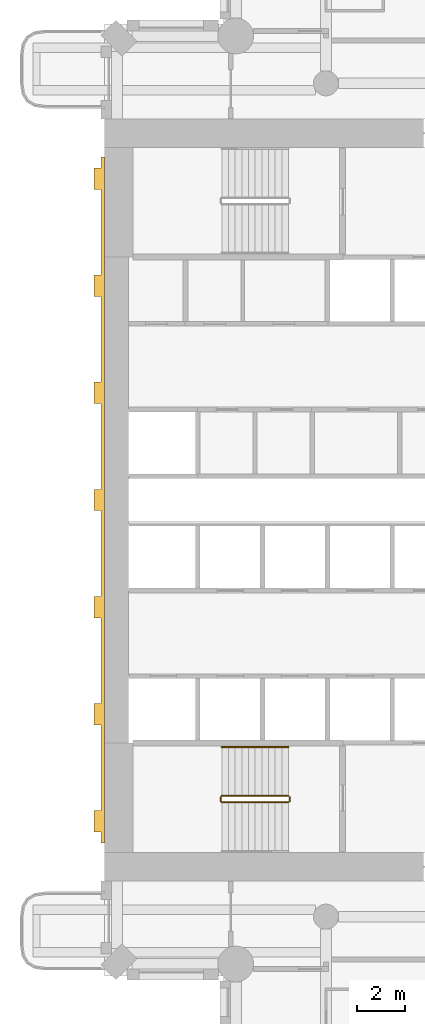
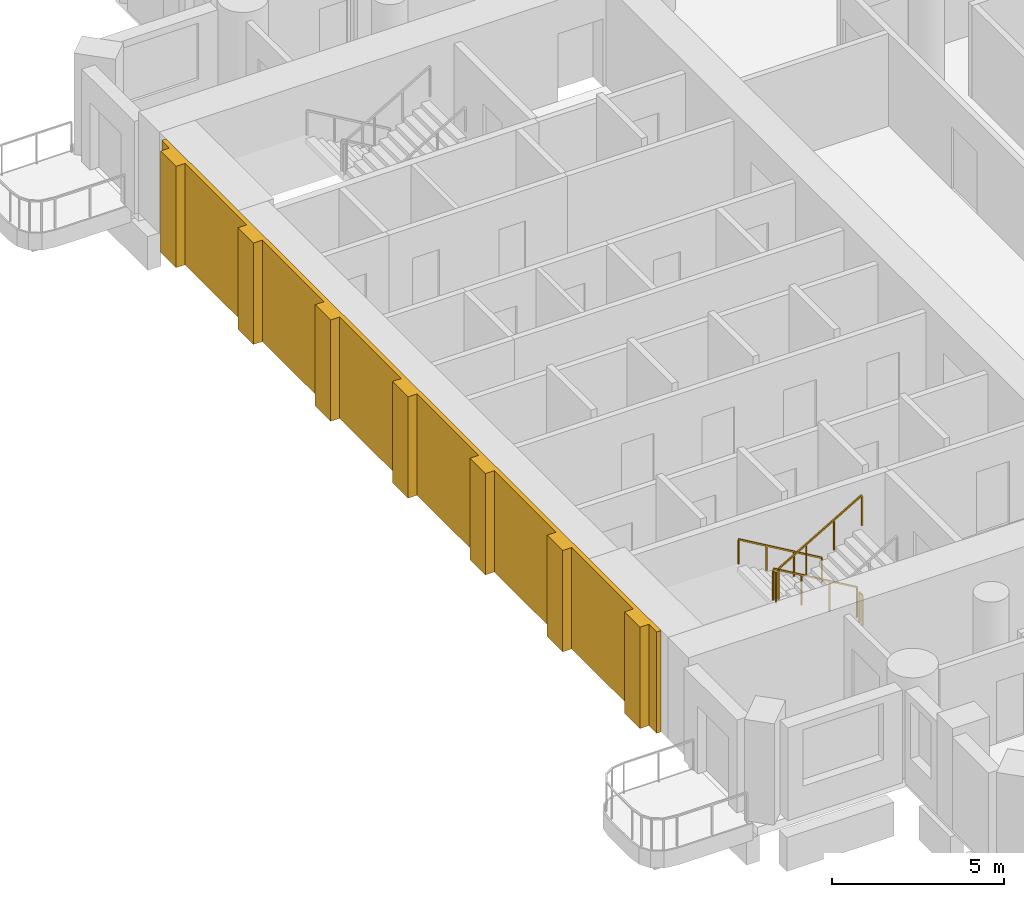
# One storey, part 14 of 20: 5 railings, 1 covering.
"""IFC4 building model written with IfcOpenShell, lengths in metres."""

import ifcopenshell
import ifcopenshell.guid

model = None  # the IFC model being written
_history = None  # IfcOwnerHistory: only IFC2X3 demands one
_inside = {}  # id of a spatial element -> (the spatial element, [elements in it])
_under = {}  # id of a project, library or spatial element -> (it, [spatial elements below it])
_declared = {}  # id of a project -> (the project, [libraries it declares])
_typed = {}  # id of a type object -> (the type object, [elements of that type])
_made_of = {}  # id of a material, layer set ... -> (it, [elements and type objects made of it])


def new_model(schema):
    """Start an empty IFC model of exactly this schema.

    Asked for "IFC4X3", IfcOpenShell would pick the latest addendum, in which some entities
    have other attributes; the version numbers below select the first issue.
    IFC2X3 requires an IfcOwnerHistory on every rooted entity: one is made here for all.
    """
    global model, _history
    if schema == "IFC4X3":
        model = ifcopenshell.file(schema_version=(4, 3, 0, 0))
    else:
        model = ifcopenshell.file(schema=schema)
    _inside.clear()
    _under.clear()
    _declared.clear()
    _typed.clear()
    _made_of.clear()
    _history = None
    if model.schema == "IFC2X3":
        org = make("IfcOrganization", Name="unknown")
        user = make(
            "IfcPersonAndOrganization",
            ThePerson=make("IfcPerson", FamilyName="unknown"),
            TheOrganization=org,
        )
        app = make(
            "IfcApplication",
            ApplicationDeveloper=org,
            Version="unknown",
            ApplicationFullName="unknown",
            ApplicationIdentifier="unknown",
        )
        _history = make(
            "IfcOwnerHistory",
            OwningUser=user,
            OwningApplication=app,
            ChangeAction="ADDED",
            CreationDate=0,
        )
    return model


def make(cls, **values):
    """One entity of the class cls with the attributes given. An attribute that is None is left unset."""
    return model.create_entity(
        cls, **{name: value for name, value in values.items() if value is not None}
    )


def rooted(cls, **values):
    """An entity with a GlobalId (a new one), such as an element, a storey or a relation."""
    return make(cls, GlobalId=ifcopenshell.guid.new(), OwnerHistory=_history, **values)


def si_unit(unit_type, name, prefix=None):
    """IfcSIUnit, for example si_unit("LENGTHUNIT", "METRE", prefix="MILLI")."""
    return make("IfcSIUnit", UnitType=unit_type, Prefix=prefix, Name=name)


def assignment(units):
    """IfcUnitAssignment: the units of a project."""
    return None if units is None else make("IfcUnitAssignment", Units=units)


def point(xyz):
    """IfcCartesianPoint."""
    return None if xyz is None else make("IfcCartesianPoint", Coordinates=xyz)


def direction(xyz):
    """IfcDirection."""
    return None if xyz is None else make("IfcDirection", DirectionRatios=xyz)


def frame(location, z_axis=None, x_axis=None):
    """IfcAxis2Placement3D, a coordinate frame: its origin and axes. An axis left out is left unset."""
    return make(
        "IfcAxis2Placement3D",
        Location=point(location),
        Axis=direction(z_axis),
        RefDirection=direction(x_axis),
    )


def frame_2d(location, x_axis=None):
    """IfcAxis2Placement2D, a coordinate frame in the plane: its origin and x axis."""
    return make(
        "IfcAxis2Placement2D", Location=point(location), RefDirection=direction(x_axis)
    )


def origin():
    """The frame at (0, 0, 0) with its axes left unset."""
    return frame((0.0, 0.0, 0.0))


def origin_2d():
    """The frame at (0, 0) in the plane with its x axis left unset."""
    return frame_2d((0.0, 0.0))


def place(relative_to, where):
    """IfcLocalPlacement: puts the frame where relative to a parent placement (None: the world)."""
    return make(
        "IfcLocalPlacement", PlacementRelTo=relative_to, RelativePlacement=where
    )


def context(
    kind, dimensions, precision=None, world=None, true_north=None, identifier=None
):
    """IfcGeometricRepresentationContext, for example the 3D "Model" context."""
    return make(
        "IfcGeometricRepresentationContext",
        ContextIdentifier=identifier,
        ContextType=kind,
        CoordinateSpaceDimension=dimensions,
        Precision=precision,
        WorldCoordinateSystem=world,
        TrueNorth=true_north,
    )


def subcontext(parent, identifier, kind, view, scale=None):
    """IfcGeometricRepresentationSubContext, for example "Body" below "Model"."""
    return make(
        "IfcGeometricRepresentationSubContext",
        ContextIdentifier=identifier,
        ContextType=kind,
        ParentContext=parent,
        TargetScale=scale,
        TargetView=view,
    )


def project(units=None, contexts=None):
    """IfcProject with its units and contexts."""
    return rooted(
        "IfcProject",
        Name="project",
        RepresentationContexts=contexts,
        UnitsInContext=assignment(units),
    )


def spatial(cls, under=None, at=None, **own):
    """A site, building, storey or space (cls), placed at a placement, below another one or the project."""
    s = rooted(cls, ObjectPlacement=at, **own)
    if under is not None:
        _under.setdefault(under.id(), (under, []))[1].append(s)
    return s


def polyline(points):
    """IfcPolyline through the points."""
    return make("IfcPolyline", Points=[point(p) for p in points])


def profile(cls, at=None, kind="AREA", **sizes):
    """A parametric profile (cls). Its sizes go by their IFC names, for example OverallWidth=200.0."""
    return make(cls, ProfileType=kind, Position=at, **sizes)


def rectangle(**sizes):
    """IfcRectangleProfileDef."""
    return profile("IfcRectangleProfileDef", **sizes)


def outline(outer, holes=None, kind="AREA"):
    """IfcArbitraryClosedProfileDef: a profile drawn as a closed curve; with holes, ...WithVoids."""
    if holes is None:
        return make("IfcArbitraryClosedProfileDef", ProfileType=kind, OuterCurve=outer)
    return make(
        "IfcArbitraryProfileDefWithVoids",
        ProfileType=kind,
        OuterCurve=outer,
        InnerCurves=holes,
    )


def extrude(swept, where, along, depth):
    """IfcExtrudedAreaSolid: the profile swept, set in the frame where, extruded along a direction by depth."""
    return make(
        "IfcExtrudedAreaSolid",
        SweptArea=swept,
        Position=where,
        ExtrudedDirection=direction(along),
        Depth=depth,
    )


def shape(context_of_items, identifier, shape_type, items):
    """IfcShapeRepresentation: the items that make up one representation, for example the "Body"."""
    return make(
        "IfcShapeRepresentation",
        ContextOfItems=context_of_items,
        RepresentationIdentifier=identifier,
        RepresentationType=shape_type,
        Items=items,
    )


def material(Name=None, Category=None):
    """IfcMaterial."""
    return make("IfcMaterial", Name=Name, Category=Category)


def layer(
    of_material, thickness, ventilated=None, Name=None, Category=None, Priority=None
):
    """IfcMaterialLayer: one layer of a wall or slab, of a material (None: an air gap)."""
    return make(
        "IfcMaterialLayer",
        Material=of_material,
        LayerThickness=thickness,
        IsVentilated=ventilated,
        Name=Name,
        Category=Category,
        Priority=Priority,
    )


def layer_set(layers, Name=None):
    """IfcMaterialLayerSet."""
    return make("IfcMaterialLayerSet", MaterialLayers=layers, LayerSetName=Name)


def made_of(thing, what):
    """Note that an element or type object is made of a material, layer set ...; save() writes the relation."""
    if what is not None:
        _made_of.setdefault(what.id(), (what, []))[1].append(thing)
    return thing


def type_object(cls, material=None, **own):
    """A type object (cls), such as IfcWallType, which elements share."""
    return made_of(rooted(cls, **own), material)


def element(
    cls,
    number,
    at=None,
    inside=None,
    cuts=None,
    type_object=None,
    material=None,
    context=None,
    identifier="Body",
    shape_type=None,
    held_by="IfcProductDefinitionShape",
    body=None,
    shapes=None,
    **own,
):
    """One element of the class cls, such as IfcWall. Its Tag is "e" and its number.

    at: its placement. inside: the storey or other place that contains it. cuts: it is an
    opening in that element (IfcRelVoidsElement). A single representation is given by context,
    identifier, shape_type and body (its items); several are given by shapes. held_by: the class
    of the entity that holds the representations. save() writes the other relations.
    """
    e = rooted(cls, Tag="e%d" % number, ObjectPlacement=at, **own)
    if body is not None:
        shapes = [shape(context, identifier, shape_type, body)]
    if shapes is not None:
        e.Representation = make(held_by, Representations=shapes)
    if inside is not None:
        _inside.setdefault(inside.id(), (inside, []))[1].append(e)
    if cuts is not None:
        rooted(
            "IfcRelVoidsElement", RelatingBuildingElement=cuts, RelatedOpeningElement=e
        )
    if type_object is not None:
        _typed.setdefault(type_object.id(), (type_object, []))[1].append(e)
    return made_of(e, material)


def aggregate(whole, parts):
    """IfcRelAggregates: a whole, such as a stair, and the parts it consists of."""
    return rooted("IfcRelAggregates", RelatingObject=whole, RelatedObjects=parts)


def save(model, path):
    """Write the relations noted so far, then the file.

    IfcRelAggregates (storeys below a building ...), IfcRelContainedInSpatialStructure (elements
    in a storey), IfcRelDefinesByType, IfcRelAssociatesMaterial and IfcRelDeclares: one each for
    every whole, place, type object, material and project.
    """
    for whole, parts in _under.values():
        aggregate(whole, parts)
    for where, things in _inside.values():
        rooted(
            "IfcRelContainedInSpatialStructure",
            RelatedElements=things,
            RelatingStructure=where,
        )
    for kind, things in _typed.values():
        rooted("IfcRelDefinesByType", RelatedObjects=things, RelatingType=kind)
    for what, things in _made_of.values():
        rooted("IfcRelAssociatesMaterial", RelatedObjects=things, RelatingMaterial=what)
    for by, libraries in _declared.values():
        rooted("IfcRelDeclares", RelatingContext=by, RelatedDefinitions=libraries)
    model.write(path)


model = new_model("IFC4")

# Units and contexts
model_context = context("Model", 3, precision=1e-05, world=origin(), true_north=direction((0.0, 1.0)))
body_context = subcontext(model_context, "Body", "Model", "MODEL_VIEW")
ifc_project = project(units=[si_unit("LENGTHUNIT", "METRE"), si_unit("AREAUNIT", "SQUARE_METRE"), si_unit("VOLUMEUNIT", "CUBIC_METRE"), si_unit("PLANEANGLEUNIT", "RADIAN"), si_unit("MASSUNIT", "GRAM", prefix="KILO")], contexts=[model_context])

# Site, building, storey
site_placement = place(None, origin())
site = spatial("IfcSite", under=ifc_project, at=site_placement, CompositionType="ELEMENT")
building_placement = place(site_placement, origin())
building = spatial("IfcBuilding", under=site, at=building_placement, Name="Cypress Arch Tower", CompositionType="ELEMENT")
storey_placement = place(building_placement, frame((0.0, 0.0, 120.300048828125)))
storey = spatial("IfcBuildingStorey", under=building, at=storey_placement, Name="L25", CompositionType="ELEMENT", Elevation=120.300048828125)

# Railings
ifc_material_1 = material(Name="Black powder-coated steel square bar 48 mm", Category="steel")
railing_type_1 = type_object("IfcRailingType", Name="Stair handrail HR1", PredefinedType="HANDRAIL", material=ifc_material_1)
railing_1_placement = place(storey_placement, frame((-22.27490234375, -10.375, 0.16357421875)))
element("IfcRailing", 1, at=railing_1_placement, inside=storey, type_object=railing_type_1, Name="L25 A stair handrail 1", PredefinedType="HANDRAIL", context=body_context, shape_type="SweptSolid", body=[
    extrude(rectangle(XDim=0.048095703125, YDim=0.048095703125, at=origin_2d()), frame((0.0, 0.0, 0.8759765625), z_axis=(-0.863360870873, 0.0, 0.504586966384), x_axis=(0.0, -1.0, 0.0)), (0.0, 0.0, 1.0), 3.2431640625),
    extrude(rectangle(XDim=0.0419921875, YDim=0.0419921875, at=origin_2d()), origin(), (0.0, 0.0, 1.0), 0.851806640625),
    extrude(rectangle(XDim=0.0419921875, YDim=0.0419921875, at=origin_2d()), frame((-0.933349609375, 0.0, 0.54541015625)), (0.0, 0.0, 1.0), 0.851806640625),
    extrude(rectangle(XDim=0.0419921875, YDim=0.0419921875, at=origin_2d()), frame((-1.86669921875, 0.0, 1.091064453125)), (0.0, 0.0, 1.0), 0.851806640625),
    extrude(rectangle(XDim=0.0419921875, YDim=0.0419921875, at=origin_2d()), frame((-2.800048828125, 0.0, 1.636474609375)), (0.0, 0.0, 1.0), 0.851806640625),
])
ifc_material_2 = material(Name="Black powder-coated steel balusters", Category="steel")
railing_type_2 = type_object("IfcRailingType", Name="Stair well guard G1", PredefinedType="GUARDRAIL", material=ifc_material_2)
railing_2_placement = place(storey_placement, frame((-22.27490234375, -12.425048828125, 0.16357421875)))
element("IfcRailing", 2, at=railing_2_placement, inside=storey, type_object=railing_type_2, Name="L25 A stair guard 1", PredefinedType="GUARDRAIL", context=body_context, shape_type="SweptSolid", body=[
    extrude(rectangle(XDim=0.048095703125, YDim=0.048095703125, at=origin_2d()), frame((0.0, 0.0, 1.076171875), z_axis=(-0.863360870873, 0.0, 0.504586966384), x_axis=(0.0, -1.0, 0.0)), (0.0, 0.0, 1.0), 3.2431640625),
    extrude(rectangle(XDim=0.0419921875, YDim=0.0419921875, at=origin_2d()), origin(), (0.0, 0.0, 1.0), 1.052001953125),
    extrude(rectangle(XDim=0.0419921875, YDim=0.0419921875, at=origin_2d()), frame((-0.933349609375, 0.0, 0.54541015625)), (0.0, 0.0, 1.0), 1.052001953125),
    extrude(rectangle(XDim=0.0419921875, YDim=0.0419921875, at=origin_2d()), frame((-1.86669921875, 0.0, 1.091064453125)), (0.0, 0.0, 1.0), 1.052001953125),
    extrude(rectangle(XDim=0.0419921875, YDim=0.0419921875, at=origin_2d()), frame((-2.800048828125, 0.0, 1.636474609375)), (0.0, 0.0, 1.0), 1.052001953125),
])
railing_3_placement = place(storey_placement, frame((-25.125, -12.47509765625, 1.800048828125)))
element("IfcRailing", 3, at=railing_3_placement, inside=storey, type_object=railing_type_2, Name="L25 A stair guard 2", PredefinedType="GUARDRAIL", context=body_context, shape_type="SweptSolid", body=[
    extrude(rectangle(XDim=0.048095703125, YDim=0.048095703125, at=origin_2d()), frame((0.0, 0.0, 1.076171875), z_axis=(0.0, -1.0, 0.0), x_axis=(1.0, 0.0, 0.0)), (0.0, 0.0, 1.0), 0.1748046875),
    extrude(rectangle(XDim=0.0419921875, YDim=0.0419921875, at=origin_2d()), origin(), (0.0, 0.0, 1.0), 1.052001953125),
    extrude(rectangle(XDim=0.0419921875, YDim=0.0419921875, at=origin_2d()), frame((0.0, -0.1748046875, 0.0)), (0.0, 0.0, 1.0), 1.052001953125),
])
railing_4_placement = place(storey_placement, frame((-25.074951171875, -12.699951171875, 1.963623046875)))
element("IfcRailing", 4, at=railing_4_placement, inside=storey, type_object=railing_type_2, Name="L25 A stair guard 3", PredefinedType="GUARDRAIL", context=body_context, shape_type="SweptSolid", body=[
    extrude(rectangle(XDim=0.048095703125, YDim=0.048095703125, at=origin_2d()), frame((0.0, 0.0, 1.076171875), z_axis=(0.863393664356, 0.0, 0.504530851732), x_axis=(0.0, 1.0, 0.0)), (0.0, 0.0, 1.0), 3.2431640625),
    extrude(rectangle(XDim=0.0419921875, YDim=0.0419921875, at=origin_2d()), origin(), (0.0, 0.0, 1.0), 1.052001953125),
    extrude(rectangle(XDim=0.0419921875, YDim=0.0419921875, at=origin_2d()), frame((0.933349609375, 0.0, 0.54541015625)), (0.0, 0.0, 1.0), 1.052001953125),
    extrude(rectangle(XDim=0.0419921875, YDim=0.0419921875, at=origin_2d()), frame((1.86669921875, 0.0, 1.0908203125)), (0.0, 0.0, 1.0), 1.052001953125),
    extrude(rectangle(XDim=0.0419921875, YDim=0.0419921875, at=origin_2d()), frame((2.800048828125, 0.0, 1.63623046875)), (0.0, 0.0, 1.0), 1.052001953125),
])
railing_5_placement = place(storey_placement, frame((-22.22509765625, -12.47509765625, 0.0)))
element("IfcRailing", 5, at=railing_5_placement, inside=storey, type_object=railing_type_2, Name="L25 A stair guard 4", PredefinedType="GUARDRAIL", context=body_context, shape_type="SweptSolid", body=[
    extrude(rectangle(XDim=0.048095703125, YDim=0.048095703125, at=origin_2d()), frame((0.0, 0.0, 1.076171875), z_axis=(0.0, -1.0, 0.0), x_axis=(1.0, 0.0, 0.0)), (0.0, 0.0, 1.0), 0.1748046875),
    extrude(rectangle(XDim=0.0419921875, YDim=0.0419921875, at=origin_2d()), origin(), (0.0, 0.0, 1.0), 1.052001953125),
    extrude(rectangle(XDim=0.0419921875, YDim=0.0419921875, at=origin_2d()), frame((0.0, -0.1748046875, 0.0)), (0.0, 0.0, 1.0), 1.052001953125),
])

# Covering
ifc_material_3 = material(Name="Brick (red buff blend)", Category="masonry")
ifc_layer = layer(ifc_material_3, 0.449951171875)
ifc_layer_set = layer_set([ifc_layer], Name="West face brick piers WP450")
covering_type = type_object("IfcCoveringType", Name="West face brick piers WP450", PredefinedType="CLADDING", material=ifc_layer_set)
covering_placement = place(storey_placement, origin())
element("IfcCovering", 6, at=covering_placement, inside=storey, type_object=covering_type, Name="West face brick piers L25", PredefinedType="CLADDING", context=body_context, shape_type="SweptSolid", body=[
    extrude(outline(polyline([(-30.14990234375, -13.050048828125), (-30.14990234375, -9.449951171875), (-30.449951171875, -9.449951171875), (-30.449951171875, -8.550048828125), (-30.14990234375, -8.550048828125), (-30.14990234375, -4.949951171875), (-30.449951171875, -4.949951171875), (-30.449951171875, -4.050048828125), (-30.14990234375, -4.050048828125), (-30.14990234375, -0.449951171875), (-30.449951171875, -0.449951171875), (-30.449951171875, 0.449951171875), (-30.14990234375, 0.449951171875), (-30.14990234375, 4.050048828125), (-30.449951171875, 4.050048828125), (-30.449951171875, 4.949951171875), (-30.14990234375, 4.949951171875), (-30.14990234375, 8.550048828125), (-30.449951171875, 8.550048828125), (-30.449951171875, 9.449951171875), (-30.14990234375, 9.449951171875), (-30.14990234375, 13.050048828125), (-30.449951171875, 13.050048828125), (-30.449951171875, 13.949951171875), (-30.14990234375, 13.949951171875), (-30.14990234375, 14.39990234375), (-30.0, 14.39990234375), (-30.0, -14.39990234375), (-30.14990234375, -14.39990234375), (-30.14990234375, -13.949951171875), (-30.449951171875, -13.949951171875), (-30.449951171875, -13.050048828125), (-30.14990234375, -13.050048828125)])), origin(), (0.0, 0.0, 1.0), 3.599853515625),
])

save(model, "model.ifc")
